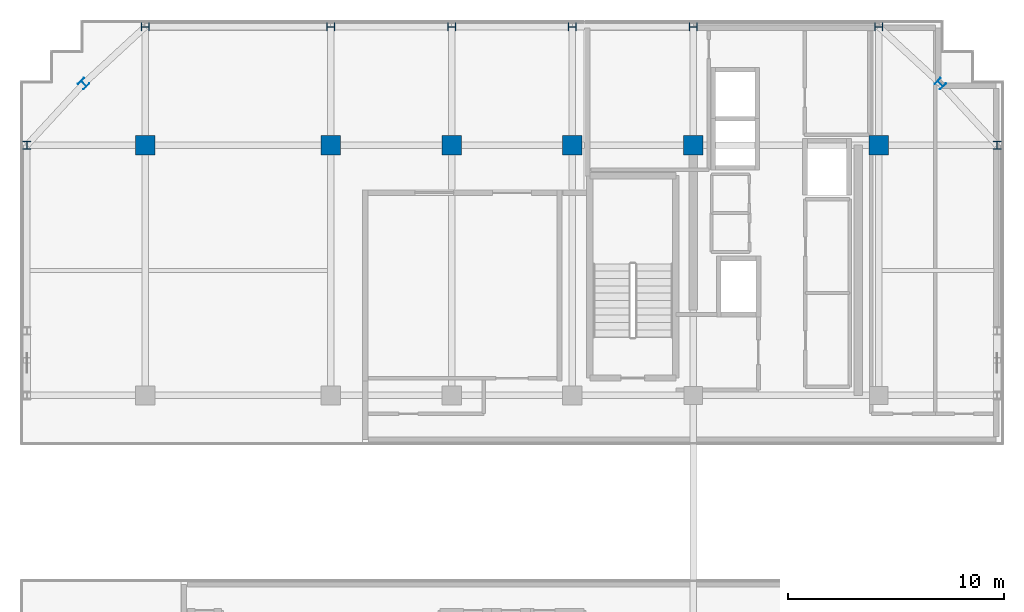
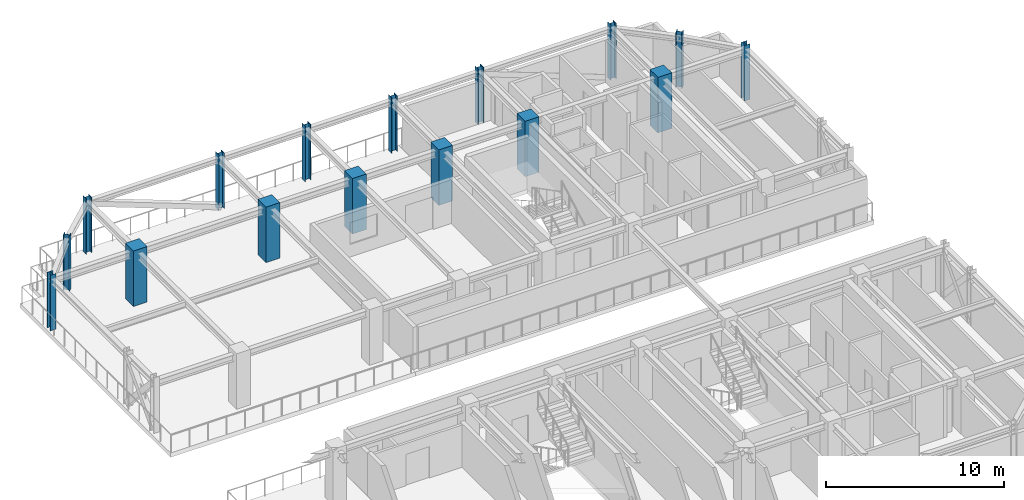
# One storey, part 3 of 14: 16 columns.
"""IFC4 building model written with IfcOpenShell, lengths in metres."""

import ifcopenshell
import ifcopenshell.guid

model = None  # the IFC model being written
_history = None  # IfcOwnerHistory: only IFC2X3 demands one
_inside = {}  # id of a spatial element -> (the spatial element, [elements in it])
_under = {}  # id of a project, library or spatial element -> (it, [spatial elements below it])
_declared = {}  # id of a project -> (the project, [libraries it declares])
_typed = {}  # id of a type object -> (the type object, [elements of that type])
_made_of = {}  # id of a material, layer set ... -> (it, [elements and type objects made of it])


def new_model(schema):
    """Start an empty IFC model of exactly this schema.

    Asked for "IFC4X3", IfcOpenShell would pick the latest addendum, in which some entities
    have other attributes; the version numbers below select the first issue.
    IFC2X3 requires an IfcOwnerHistory on every rooted entity: one is made here for all.
    """
    global model, _history
    if schema == "IFC4X3":
        model = ifcopenshell.file(schema_version=(4, 3, 0, 0))
    else:
        model = ifcopenshell.file(schema=schema)
    _inside.clear()
    _under.clear()
    _declared.clear()
    _typed.clear()
    _made_of.clear()
    _history = None
    if model.schema == "IFC2X3":
        org = make("IfcOrganization", Name="unknown")
        user = make(
            "IfcPersonAndOrganization",
            ThePerson=make("IfcPerson", FamilyName="unknown"),
            TheOrganization=org,
        )
        app = make(
            "IfcApplication",
            ApplicationDeveloper=org,
            Version="unknown",
            ApplicationFullName="unknown",
            ApplicationIdentifier="unknown",
        )
        _history = make(
            "IfcOwnerHistory",
            OwningUser=user,
            OwningApplication=app,
            ChangeAction="ADDED",
            CreationDate=0,
        )
    return model


def make(cls, **values):
    """One entity of the class cls with the attributes given. An attribute that is None is left unset."""
    return model.create_entity(
        cls, **{name: value for name, value in values.items() if value is not None}
    )


def rooted(cls, **values):
    """An entity with a GlobalId (a new one), such as an element, a storey or a relation."""
    return make(cls, GlobalId=ifcopenshell.guid.new(), OwnerHistory=_history, **values)


def si_unit(unit_type, name, prefix=None):
    """IfcSIUnit, for example si_unit("LENGTHUNIT", "METRE", prefix="MILLI")."""
    return make("IfcSIUnit", UnitType=unit_type, Prefix=prefix, Name=name)


def assignment(units):
    """IfcUnitAssignment: the units of a project."""
    return None if units is None else make("IfcUnitAssignment", Units=units)


def point(xyz):
    """IfcCartesianPoint."""
    return None if xyz is None else make("IfcCartesianPoint", Coordinates=xyz)


def direction(xyz):
    """IfcDirection."""
    return None if xyz is None else make("IfcDirection", DirectionRatios=xyz)


def frame(location, z_axis=None, x_axis=None):
    """IfcAxis2Placement3D, a coordinate frame: its origin and axes. An axis left out is left unset."""
    return make(
        "IfcAxis2Placement3D",
        Location=point(location),
        Axis=direction(z_axis),
        RefDirection=direction(x_axis),
    )


def frame_2d(location, x_axis=None):
    """IfcAxis2Placement2D, a coordinate frame in the plane: its origin and x axis."""
    return make(
        "IfcAxis2Placement2D", Location=point(location), RefDirection=direction(x_axis)
    )


def origin():
    """The frame at (0, 0, 0) with its axes left unset."""
    return frame((0.0, 0.0, 0.0))


def origin_2d():
    """The frame at (0, 0) in the plane with its x axis left unset."""
    return frame_2d((0.0, 0.0))


def place(relative_to, where):
    """IfcLocalPlacement: puts the frame where relative to a parent placement (None: the world)."""
    return make(
        "IfcLocalPlacement", PlacementRelTo=relative_to, RelativePlacement=where
    )


def context(
    kind, dimensions, precision=None, world=None, true_north=None, identifier=None
):
    """IfcGeometricRepresentationContext, for example the 3D "Model" context."""
    return make(
        "IfcGeometricRepresentationContext",
        ContextIdentifier=identifier,
        ContextType=kind,
        CoordinateSpaceDimension=dimensions,
        Precision=precision,
        WorldCoordinateSystem=world,
        TrueNorth=true_north,
    )


def subcontext(parent, identifier, kind, view, scale=None):
    """IfcGeometricRepresentationSubContext, for example "Body" below "Model"."""
    return make(
        "IfcGeometricRepresentationSubContext",
        ContextIdentifier=identifier,
        ContextType=kind,
        ParentContext=parent,
        TargetScale=scale,
        TargetView=view,
    )


def project(units=None, contexts=None):
    """IfcProject with its units and contexts."""
    return rooted(
        "IfcProject",
        Name="project",
        RepresentationContexts=contexts,
        UnitsInContext=assignment(units),
    )


def spatial(cls, under=None, at=None, **own):
    """A site, building, storey or space (cls), placed at a placement, below another one or the project."""
    s = rooted(cls, ObjectPlacement=at, **own)
    if under is not None:
        _under.setdefault(under.id(), (under, []))[1].append(s)
    return s


def profile(cls, at=None, kind="AREA", **sizes):
    """A parametric profile (cls). Its sizes go by their IFC names, for example OverallWidth=200.0."""
    return make(cls, ProfileType=kind, Position=at, **sizes)


def rectangle(**sizes):
    """IfcRectangleProfileDef."""
    return profile("IfcRectangleProfileDef", **sizes)


def i_section(**sizes):
    """IfcIShapeProfileDef."""
    return profile("IfcIShapeProfileDef", **sizes)


def extrude(swept, where, along, depth):
    """IfcExtrudedAreaSolid: the profile swept, set in the frame where, extruded along a direction by depth."""
    return make(
        "IfcExtrudedAreaSolid",
        SweptArea=swept,
        Position=where,
        ExtrudedDirection=direction(along),
        Depth=depth,
    )


def shape(context_of_items, identifier, shape_type, items):
    """IfcShapeRepresentation: the items that make up one representation, for example the "Body"."""
    return make(
        "IfcShapeRepresentation",
        ContextOfItems=context_of_items,
        RepresentationIdentifier=identifier,
        RepresentationType=shape_type,
        Items=items,
    )


def source(mapping_origin, context_of_items, identifier, shape_type, items):
    """IfcRepresentationMap: a shape defined once, which mapped items show again and again."""
    return make(
        "IfcRepresentationMap",
        MappingOrigin=mapping_origin,
        MappedRepresentation=shape(context_of_items, identifier, shape_type, items),
    )


def transform(
    local_origin,
    x_axis=None,
    y_axis=None,
    z_axis=None,
    scale=None,
    scale2=None,
    scale3=None,
    uniform=True,
):
    """IfcCartesianTransformationOperator3D, or its non-uniform kind. x_axis, y_axis, z_axis: its Axis1, 2, 3."""
    if uniform:
        return make(
            "IfcCartesianTransformationOperator3D",
            Axis1=direction(x_axis),
            Axis2=direction(y_axis),
            LocalOrigin=point(local_origin),
            Scale=scale,
            Axis3=direction(z_axis),
        )
    return make(
        "IfcCartesianTransformationOperator3DnonUniform",
        Axis1=direction(x_axis),
        Axis2=direction(y_axis),
        LocalOrigin=point(local_origin),
        Scale=scale,
        Axis3=direction(z_axis),
        Scale2=scale2,
        Scale3=scale3,
    )


def mapped(mapping_source, mapping_target):
    """IfcMappedItem: shows the shape of a source again, moved by a transform."""
    return make(
        "IfcMappedItem", MappingSource=mapping_source, MappingTarget=mapping_target
    )


def material(Name=None, Category=None):
    """IfcMaterial."""
    return make("IfcMaterial", Name=Name, Category=Category)


def material_profile(
    of_material, cross_section, Name=None, Category=None, Priority=None
):
    """IfcMaterialProfile: a cross section and its material."""
    return make(
        "IfcMaterialProfile",
        Name=Name,
        Material=of_material,
        Profile=cross_section,
        Priority=Priority,
        Category=Category,
    )


def profile_set(profiles, Name=None, composite=None):
    """IfcMaterialProfileSet."""
    return make(
        "IfcMaterialProfileSet",
        Name=Name,
        MaterialProfiles=profiles,
        CompositeProfile=composite,
    )


def made_of(thing, what):
    """Note that an element or type object is made of a material, layer set ...; save() writes the relation."""
    if what is not None:
        _made_of.setdefault(what.id(), (what, []))[1].append(thing)
    return thing


def type_object(cls, material=None, **own):
    """A type object (cls), such as IfcWallType, which elements share."""
    return made_of(rooted(cls, **own), material)


def element(
    cls,
    number,
    at=None,
    inside=None,
    cuts=None,
    type_object=None,
    material=None,
    context=None,
    identifier="Body",
    shape_type=None,
    held_by="IfcProductDefinitionShape",
    body=None,
    shapes=None,
    **own,
):
    """One element of the class cls, such as IfcWall. Its Tag is "e" and its number.

    at: its placement. inside: the storey or other place that contains it. cuts: it is an
    opening in that element (IfcRelVoidsElement). A single representation is given by context,
    identifier, shape_type and body (its items); several are given by shapes. held_by: the class
    of the entity that holds the representations. save() writes the other relations.
    """
    e = rooted(cls, Tag="e%d" % number, ObjectPlacement=at, **own)
    if body is not None:
        shapes = [shape(context, identifier, shape_type, body)]
    if shapes is not None:
        e.Representation = make(held_by, Representations=shapes)
    if inside is not None:
        _inside.setdefault(inside.id(), (inside, []))[1].append(e)
    if cuts is not None:
        rooted(
            "IfcRelVoidsElement", RelatingBuildingElement=cuts, RelatedOpeningElement=e
        )
    if type_object is not None:
        _typed.setdefault(type_object.id(), (type_object, []))[1].append(e)
    return made_of(e, material)


def aggregate(whole, parts):
    """IfcRelAggregates: a whole, such as a stair, and the parts it consists of."""
    return rooted("IfcRelAggregates", RelatingObject=whole, RelatedObjects=parts)


def save(model, path):
    """Write the relations noted so far, then the file.

    IfcRelAggregates (storeys below a building ...), IfcRelContainedInSpatialStructure (elements
    in a storey), IfcRelDefinesByType, IfcRelAssociatesMaterial and IfcRelDeclares: one each for
    every whole, place, type object, material and project.
    """
    for whole, parts in _under.values():
        aggregate(whole, parts)
    for where, things in _inside.values():
        rooted(
            "IfcRelContainedInSpatialStructure",
            RelatedElements=things,
            RelatingStructure=where,
        )
    for kind, things in _typed.values():
        rooted("IfcRelDefinesByType", RelatedObjects=things, RelatingType=kind)
    for what, things in _made_of.values():
        rooted("IfcRelAssociatesMaterial", RelatedObjects=things, RelatingMaterial=what)
    for by, libraries in _declared.values():
        rooted("IfcRelDeclares", RelatingContext=by, RelatedDefinitions=libraries)
    model.write(path)


model = new_model("IFC4")

# Units and contexts
model_context = context("Model", 3, precision=1e-05, world=origin(), true_north=direction((0.0, 1.0)))
body_context = subcontext(model_context, "Body", "Model", "MODEL_VIEW")
ifc_project = project(units=[si_unit("LENGTHUNIT", "METRE"), si_unit("AREAUNIT", "SQUARE_METRE"), si_unit("VOLUMEUNIT", "CUBIC_METRE"), si_unit("PLANEANGLEUNIT", "RADIAN"), si_unit("MASSUNIT", "GRAM", prefix="KILO")], contexts=[model_context])

# Site, building, storey
site_placement = place(None, origin())
site = spatial("IfcSite", under=ifc_project, at=site_placement, CompositionType="ELEMENT")
building_placement = place(site_placement, origin())
building = spatial("IfcBuilding", under=site, at=building_placement, Name="Nahalor Promenade Grand Hotel", CompositionType="ELEMENT")
storey_placement = place(building_placement, frame((0.0, 0.0, 300.35009765625)))
storey = spatial("IfcBuildingStorey", under=building, at=storey_placement, Name="L77", CompositionType="ELEMENT", Elevation=300.35009765625)

# Columns
ifc_material_1 = material(Name="Concrete B-50 (C40/50)", Category="concrete")
ifc_material_profile_1 = material_profile(ifc_material_1, rectangle(XDim=0.9, YDim=0.9, at=origin_2d()), Name="RC 900x900")
ifc_profile_set_1 = profile_set([ifc_material_profile_1], Name="Concrete B-50 (C40/50)")
column_type_1 = type_object("IfcColumnType", Name="Col-RC-900", PredefinedType="COLUMN", material=ifc_profile_set_1)
shared_shape_1 = source(origin(), body_context, "Body", "SweptSolid", [
    extrude(rectangle(XDim=0.9, YDim=0.9, at=origin_2d()), origin(), (0.0, 0.0, 1.0), 3.804931640625),
])
for number, where, z_axis, x_axis, name in (
    (1, (-17.0, 17.0, 0.0), (0.0, 0.0, 1.0), (1.0, 0.0, 0.0), "COL-L77-I03"),
    (2, (-8.39990234375, 17.0, 0.0), (0.0, 0.0, 1.0), (1.0, 0.0, 0.0), "COL-L77-I13"),
    (3, (-2.800048828125, 17.0, 0.0), (0.0, 0.0, 1.0), (1.0, 0.0, 0.0), "COL-L77-I23"),
    (4, (2.800048828125, 17.0, 0.0), (0.0, 0.0, 1.0), (1.0, 0.0, 0.0), "COL-L77-I33"),
    (5, (8.39990234375, 17.0, 0.0), (0.0, 0.0, 1.0), (1.0, 0.0, 0.0), "COL-L77-I43"),
    (6, (17.0, 17.0, 0.0), (0.0, 0.0, 1.0), (1.0, 0.0, 0.0), "COL-L77-I53"),
):
    element("IfcColumn", number, at=place(storey_placement, frame(where, z_axis=z_axis, x_axis=x_axis)), inside=storey, type_object=column_type_1, Name=name, PredefinedType="COLUMN", context=body_context, shape_type="MappedRepresentation", body=[
        mapped(shared_shape_1, transform((0.0, 0.0, 0.0), scale=1.0)),
    ])
ifc_material_2 = material(Name="Steel S355JR", Category="steel")
ifc_material_profile_2 = material_profile(ifc_material_2, i_section(OverallWidth=0.374, OverallDepth=0.374, WebThickness=0.0144, FlangeThickness=0.0229, at=origin_2d()), Name="HD 360x262")
ifc_profile_set_2 = profile_set([ifc_material_profile_2], Name="Steel S355JR")
column_type_2 = type_object("IfcColumnType", Name="Col-Steel-HD262", PredefinedType="COLUMN", material=ifc_profile_set_2)
shared_shape_2 = source(origin(), body_context, "Body", "SweptSolid", [
    extrude(i_section(OverallWidth=0.374, OverallDepth=0.374, WebThickness=0.0144, FlangeThickness=0.0229, at=origin_2d()), origin(), (0.0, 0.0, 1.0), 3.804931640625),
])
for number, where, z_axis, x_axis, name in (
    (7, (-22.47998046875, 17.0, 0.0), (0.0, 0.0, 1.0), (1.0, 0.0, 0.0), "COL-L77-PW-W5"),
    (8, (22.47998046875, 17.0, 0.0), (0.0, 0.0, 1.0), (1.0, 0.0, 0.0), "COL-L77-PW-E5"),
    (9, (-17.0, 22.47998046875, 0.0), (0.0, 0.0, 1.0), (0.0, 1.0, 0.0), "COL-L77-PN-N0"),
    (10, (-8.39990234375, 22.47998046875, 0.0), (0.0, 0.0, 1.0), (0.0, 1.0, 0.0), "COL-L77-PN-N1"),
    (11, (-2.800048828125, 22.47998046875, 0.0), (0.0, 0.0, 1.0), (0.0, 1.0, 0.0), "COL-L77-PN-N2"),
    (12, (2.800048828125, 22.47998046875, 0.0), (0.0, 0.0, 1.0), (0.0, 1.0, 0.0), "COL-L77-PN-N3"),
    (13, (8.39990234375, 22.47998046875, 0.0), (0.0, 0.0, 1.0), (0.0, 1.0, 0.0), "COL-L77-PN-N4"),
    (14, (17.0, 22.47998046875, 0.0), (0.0, 0.0, 1.0), (0.0, 1.0, 0.0), "COL-L77-PN-N5"),
    (15, (-19.85009765625, 19.85009765625, 0.0), (0.0, 0.0, 1.0), (0.707106781187, 0.707106781187, 0.0), "COL-L77-CRN-NW"),
    (16, (19.85009765625, 19.85009765625, 0.0), (0.0, 0.0, 1.0), (0.707106781187, 0.707106781187, 0.0), "COL-L77-CRN-NE"),
):
    element("IfcColumn", number, at=place(storey_placement, frame(where, z_axis=z_axis, x_axis=x_axis)), inside=storey, type_object=column_type_2, Name=name, PredefinedType="COLUMN", context=body_context, shape_type="MappedRepresentation", body=[
        mapped(shared_shape_2, transform((0.0, 0.0, 0.0), scale=1.0)),
    ])

save(model, "model.ifc")
